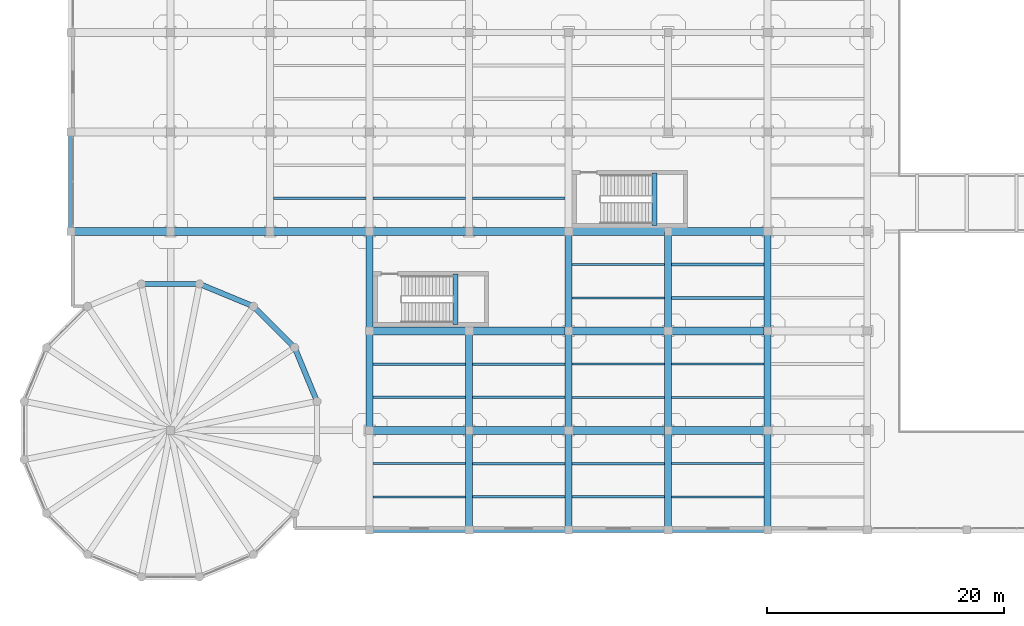
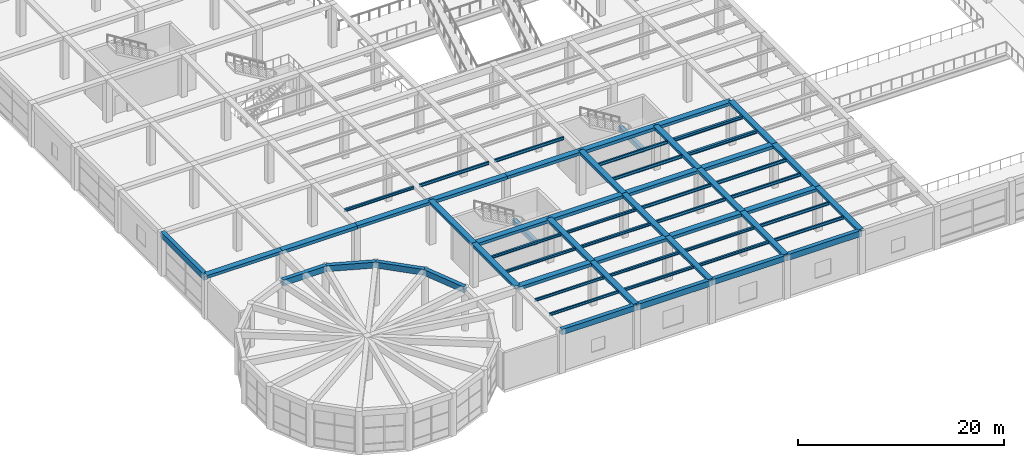
# One storey, part 16 of 95: 62 beams.
"""IFC4 building model written with IfcOpenShell, lengths in metres."""

from ifc_helpers import new_model, si_unit, direction, frame, origin, origin_2d, place, context, subcontext, project, spatial, rectangle, i_section, extrude, material, material_profile, profile_set, type_object, element, save


model = new_model("IFC4")

# Units and contexts
model_context = context("Model", 3, precision=1e-05, world=origin(), true_north=direction((0.0, 1.0)))
body_context = subcontext(model_context, "Body", "Model", "MODEL_VIEW")
ifc_project = project(units=[si_unit("LENGTHUNIT", "METRE"), si_unit("AREAUNIT", "SQUARE_METRE"), si_unit("VOLUMEUNIT", "CUBIC_METRE"), si_unit("PLANEANGLEUNIT", "RADIAN"), si_unit("MASSUNIT", "GRAM", prefix="KILO")], contexts=[model_context])

# Site, building, storey
site_placement = place(None, origin())
site = spatial("IfcSite", under=ifc_project, at=site_placement, CompositionType="ELEMENT")
building_placement = place(site_placement, origin())
building = spatial("IfcBuilding", under=site, at=building_placement, Name="Almacenes y Pasaje Nevantli", CompositionType="ELEMENT")
storey_placement = place(building_placement, frame((0.0, 0.0, 11.39990234375)))
storey = spatial("IfcBuildingStorey", under=building, at=storey_placement, Name="L03", CompositionType="ELEMENT", Elevation=11.39990234375)

# Beams
ifc_material_1 = material(Name="Concrete C35/45", Category="concrete")
ifc_material_profile_1 = material_profile(ifc_material_1, rectangle(XDim=0.39990234375, YDim=0.60009765625, at=origin_2d()), Name="RC-BM-400x600")
ifc_profile_set_1 = profile_set([ifc_material_profile_1], Name="Concrete C35/45")
beam_type_1 = type_object("IfcBeamType", Name="BM-RC-400x600", PredefinedType="SPANDREL", material=ifc_profile_set_1)
beam_1_placement = place(storey_placement, frame((32.449951171875, 17.35009765625, 2.2001953125), z_axis=(0.0, 1.0, 0.0), x_axis=(-1.0, 0.0, 0.0)))
element("IfcBeam", 1, at=beam_1_placement, inside=storey, type_object=beam_type_1, Name="L03 Stair ST-04 Half-Landing Support Beam", PredefinedType="SPANDREL", context=body_context, shape_type="SweptSolid", body=[
    extrude(rectangle(XDim=0.39990234375, YDim=0.60009765625, at=origin_2d()), origin(), (0.0, 0.0, 1.0), 4.25),
])
beam_2_placement = place(storey_placement, frame((49.25, 25.699951171875, 2.2001953125), z_axis=(0.0, 1.0, 0.0), x_axis=(-1.0, 0.0, 0.0)))
element("IfcBeam", 2, at=beam_2_placement, inside=storey, type_object=beam_type_1, Name="L03 Stair ST-14 Half-Landing Support Beam", PredefinedType="SPANDREL", context=body_context, shape_type="SweptSolid", body=[
    extrude(rectangle(XDim=0.39990234375, YDim=0.60009765625, at=origin_2d()), origin(), (0.0, 0.0, 1.0), 4.449951171875),
])
ifc_material_2 = material(Name="Concrete C35/45", Category="concrete")
ifc_material_profile_2 = material_profile(ifc_material_2, rectangle(XDim=0.449951171875, YDim=0.64990234375, at=origin_2d()), Name="RC-BM-450x650")
ifc_profile_set_2 = profile_set([ifc_material_profile_2], Name="Concrete C35/45")
beam_type_2 = type_object("IfcBeamType", Name="BM-RC-450x650", PredefinedType="SPANDREL", material=ifc_profile_set_2)
beam_3_placement = place(storey_placement, frame((25.199951171875, 0.0, 4.775146484375), z_axis=(1.0, 0.0, 0.0), x_axis=(0.0, 1.0, 0.0)))
element("IfcBeam", 3, at=beam_3_placement, inside=storey, type_object=beam_type_2, Name="L03 East-West Reinforced Concrete Beam #2237", PredefinedType="SPANDREL", context=body_context, shape_type="SweptSolid", body=[
    extrude(rectangle(XDim=0.449951171875, YDim=0.64990234375, at=origin_2d()), origin(), (0.0, 0.0, 1.0), 8.400146484375),
])
beam_4_placement = place(storey_placement, frame((42.0, 0.0, 4.775146484375), z_axis=(1.0, 0.0, 0.0), x_axis=(0.0, 1.0, 0.0)))
element("IfcBeam", 4, at=beam_4_placement, inside=storey, type_object=beam_type_2, Name="L03 East-West Reinforced Concrete Beam #2239", PredefinedType="SPANDREL", context=body_context, shape_type="SweptSolid", body=[
    extrude(rectangle(XDim=0.449951171875, YDim=0.64990234375, at=origin_2d()), origin(), (0.0, 0.0, 1.0), 8.39990234375),
])
ifc_material_3 = material(Name="Concrete C35/45", Category="concrete")
ifc_material_profile_3 = material_profile(ifc_material_3, rectangle(XDim=0.449951171875, YDim=0.699951171875, at=origin_2d()), Name="RC-BM-450x700")
ifc_profile_set_3 = profile_set([ifc_material_profile_3], Name="Concrete C35/45")
beam_type_3 = type_object("IfcBeamType", Name="BM-RC-450x700", PredefinedType="SPANDREL", material=ifc_profile_set_3)
beam_5_placement = place(storey_placement, frame((33.60009765625, 0.0, 4.75), z_axis=(1.0, 0.0, 0.0), x_axis=(0.0, 1.0, 0.0)))
element("IfcBeam", 5, at=beam_5_placement, inside=storey, type_object=beam_type_3, Name="L03 East-West Reinforced Concrete Beam #2238", PredefinedType="SPANDREL", context=body_context, shape_type="SweptSolid", body=[
    extrude(rectangle(XDim=0.449951171875, YDim=0.699951171875, at=origin_2d()), origin(), (0.0, 0.0, 1.0), 8.39990234375),
])
for number, where, z_axis, x_axis, name in (
    (6, (50.39990234375, 0.0, 4.75), (1.0, 0.0, 0.0), (0.0, 1.0, 0.0), "L03 East-West Reinforced Concrete Beam #2240"),
    (7, (0.0, 25.199951171875, 4.75), (0.0, 1.0, 0.0), (-1.0, 0.0, 0.0), "L03 North-South Reinforced Concrete Beam #2480"),
):
    element("IfcBeam", number, at=place(storey_placement, frame(where, z_axis=z_axis, x_axis=x_axis)), inside=storey, type_object=beam_type_3, Name=name, PredefinedType="SPANDREL", context=body_context, shape_type="SweptSolid", body=[
        extrude(rectangle(XDim=0.449951171875, YDim=0.699951171875, at=origin_2d()), origin(), (0.0, 0.0, 1.0), 8.400146484375),
    ])
for number, where, z_axis, x_axis, name in (
    (8, (20.7578125, 10.858154296875, 4.75), (-0.382682198272, 0.923880043688, 0.0), (-0.923880043688, -0.382682198272, 0.0), "L03 Rotunda Ring Spandrel Beam #1"),
    (9, (18.87646484375, 15.400146484375, 4.75), (-0.707106781187, 0.707106781187, 0.0), (-0.707106781187, -0.707106781187, 0.0), "L03 Rotunda Ring Spandrel Beam #2"),
    (10, (15.400146484375, 18.87646484375, 4.75), (-0.923880043688, 0.382682198272, 0.0), (-0.382682198272, -0.923880043688, 0.0), "L03 Rotunda Ring Spandrel Beam #3"),
    (11, (10.858154296875, 20.7578125, 4.75), (-1.0, 0.0, 0.0), (0.0, -1.0, 0.0), "L03 Rotunda Ring Spandrel Beam #4"),
):
    element("IfcBeam", number, at=place(storey_placement, frame(where, z_axis=z_axis, x_axis=x_axis)), inside=storey, type_object=beam_type_3, Name=name, PredefinedType="SPANDREL", context=body_context, shape_type="SweptSolid", body=[
        extrude(rectangle(XDim=0.449951171875, YDim=0.699951171875, at=origin_2d()), origin(), (0.0, 0.0, 1.0), 4.916259765625),
    ])
ifc_material_4 = material(Name="Concrete C35/45", Category="concrete")
ifc_material_profile_4 = material_profile(ifc_material_4, rectangle(XDim=0.60009765625, YDim=0.320068359375, at=origin_2d()), Name="RC-BM-600x320")
ifc_profile_set_4 = profile_set([ifc_material_profile_4], Name="Concrete C35/45")
beam_type_4 = type_object("IfcBeamType", Name="BM-RC-600x320", PredefinedType="BEAM", material=ifc_profile_set_4)
beam_6_placement = place(storey_placement, frame((25.199951171875, 16.800048828125, 4.940185546875), z_axis=(0.0, 1.0, 0.0), x_axis=(-1.0, 0.0, 0.0)))
element("IfcBeam", 12, at=beam_6_placement, inside=storey, type_object=beam_type_4, Name="L03 North-South Reinforced Concrete Beam #2513", PredefinedType="BEAM", context=body_context, shape_type="SweptSolid", body=[
    extrude(rectangle(XDim=0.60009765625, YDim=0.320068359375, at=origin_2d()), origin(), (0.0, 0.0, 1.0), 8.39990234375),
])
beam_7_placement = place(storey_placement, frame((33.60009765625, 8.39990234375, 4.940185546875), z_axis=(0.0, 1.0, 0.0), x_axis=(-1.0, 0.0, 0.0)))
element("IfcBeam", 13, at=beam_7_placement, inside=storey, type_object=beam_type_4, Name="L03 North-South Reinforced Concrete Beam #2525", PredefinedType="BEAM", context=body_context, shape_type="SweptSolid", body=[
    extrude(rectangle(XDim=0.60009765625, YDim=0.320068359375, at=origin_2d()), origin(), (0.0, 0.0, 1.0), 8.400146484375),
])
for number, where, z_axis, x_axis, name in (
    (14, (42.0, 0.0, 4.940185546875), (0.0, 1.0, 0.0), (-1.0, 0.0, 0.0), "L03 North-South Reinforced Concrete Beam #2537"),
    (15, (42.0, 16.800048828125, 4.940185546875), (0.0, 1.0, 0.0), (-1.0, 0.0, 0.0), "L03 North-South Reinforced Concrete Beam #2539"),
):
    element("IfcBeam", number, at=place(storey_placement, frame(where, z_axis=z_axis, x_axis=x_axis)), inside=storey, type_object=beam_type_4, Name=name, PredefinedType="BEAM", context=body_context, shape_type="SweptSolid", body=[
        extrude(rectangle(XDim=0.60009765625, YDim=0.320068359375, at=origin_2d()), origin(), (0.0, 0.0, 1.0), 8.39990234375),
    ])
beam_8_placement = place(storey_placement, frame((50.39990234375, 8.39990234375, 4.940185546875), z_axis=(0.0, 1.0, 0.0), x_axis=(-1.0, 0.0, 0.0)))
element("IfcBeam", 16, at=beam_8_placement, inside=storey, type_object=beam_type_4, Name="L03 North-South Reinforced Concrete Beam #2547", PredefinedType="BEAM", context=body_context, shape_type="SweptSolid", body=[
    extrude(rectangle(XDim=0.60009765625, YDim=0.320068359375, at=origin_2d()), origin(), (0.0, 0.0, 1.0), 8.400146484375),
])
for number, where, z_axis, x_axis, name in (
    (17, (58.800048828125, 0.0, 4.940185546875), (0.0, 1.0, 0.0), (-1.0, 0.0, 0.0), "L03 North-South Reinforced Concrete Beam #2555"),
    (18, (58.800048828125, 16.800048828125, 4.940185546875), (0.0, 1.0, 0.0), (-1.0, 0.0, 0.0), "L03 North-South Reinforced Concrete Beam #2557"),
):
    element("IfcBeam", number, at=place(storey_placement, frame(where, z_axis=z_axis, x_axis=x_axis)), inside=storey, type_object=beam_type_4, Name=name, PredefinedType="BEAM", context=body_context, shape_type="SweptSolid", body=[
        extrude(rectangle(XDim=0.60009765625, YDim=0.320068359375, at=origin_2d()), origin(), (0.0, 0.0, 1.0), 8.39990234375),
    ])
ifc_material_5 = material(Name="Concrete C35/45", Category="concrete")
ifc_material_profile_5 = material_profile(ifc_material_5, rectangle(XDim=0.60009765625, YDim=0.340087890625, at=origin_2d()), Name="RC-BM-600x340")
ifc_profile_set_5 = profile_set([ifc_material_profile_5], Name="Concrete C35/45")
beam_type_5 = type_object("IfcBeamType", Name="BM-RC-600x340", PredefinedType="BEAM", material=ifc_profile_set_5)
beam_9_placement = place(storey_placement, frame((25.199951171875, 8.39990234375, 4.93017578125), z_axis=(0.0, 1.0, 0.0), x_axis=(-1.0, 0.0, 0.0)))
element("IfcBeam", 19, at=beam_9_placement, inside=storey, type_object=beam_type_5, Name="L03 North-South Reinforced Concrete Beam #2512", PredefinedType="BEAM", context=body_context, shape_type="SweptSolid", body=[
    extrude(rectangle(XDim=0.60009765625, YDim=0.340087890625, at=origin_2d()), origin(), (0.0, 0.0, 1.0), 8.400146484375),
])
beam_10_placement = place(storey_placement, frame((33.60009765625, 0.0, 4.93017578125), z_axis=(0.0, 1.0, 0.0), x_axis=(-1.0, 0.0, 0.0)))
element("IfcBeam", 20, at=beam_10_placement, inside=storey, type_object=beam_type_5, Name="L03 North-South Reinforced Concrete Beam #2524", PredefinedType="BEAM", context=body_context, shape_type="SweptSolid", body=[
    extrude(rectangle(XDim=0.60009765625, YDim=0.340087890625, at=origin_2d()), origin(), (0.0, 0.0, 1.0), 8.39990234375),
])
beam_11_placement = place(storey_placement, frame((42.0, 8.39990234375, 4.93017578125), z_axis=(0.0, 1.0, 0.0), x_axis=(-1.0, 0.0, 0.0)))
element("IfcBeam", 21, at=beam_11_placement, inside=storey, type_object=beam_type_5, Name="L03 North-South Reinforced Concrete Beam #2538", PredefinedType="BEAM", context=body_context, shape_type="SweptSolid", body=[
    extrude(rectangle(XDim=0.60009765625, YDim=0.340087890625, at=origin_2d()), origin(), (0.0, 0.0, 1.0), 8.400146484375),
])
for number, where, z_axis, x_axis, name in (
    (22, (50.39990234375, 0.0, 4.93017578125), (0.0, 1.0, 0.0), (-1.0, 0.0, 0.0), "L03 North-South Reinforced Concrete Beam #2546"),
    (23, (50.39990234375, 16.800048828125, 4.93017578125), (0.0, 1.0, 0.0), (-1.0, 0.0, 0.0), "L03 North-South Reinforced Concrete Beam #2548"),
):
    element("IfcBeam", number, at=place(storey_placement, frame(where, z_axis=z_axis, x_axis=x_axis)), inside=storey, type_object=beam_type_5, Name=name, PredefinedType="BEAM", context=body_context, shape_type="SweptSolid", body=[
        extrude(rectangle(XDim=0.60009765625, YDim=0.340087890625, at=origin_2d()), origin(), (0.0, 0.0, 1.0), 8.39990234375),
    ])
beam_12_placement = place(storey_placement, frame((58.800048828125, 8.39990234375, 4.93017578125), z_axis=(0.0, 1.0, 0.0), x_axis=(-1.0, 0.0, 0.0)))
element("IfcBeam", 24, at=beam_12_placement, inside=storey, type_object=beam_type_5, Name="L03 North-South Reinforced Concrete Beam #2556", PredefinedType="BEAM", context=body_context, shape_type="SweptSolid", body=[
    extrude(rectangle(XDim=0.60009765625, YDim=0.340087890625, at=origin_2d()), origin(), (0.0, 0.0, 1.0), 8.400146484375),
])
ifc_material_6 = material(Name="Concrete C35/45", Category="concrete")
ifc_material_profile_6 = material_profile(ifc_material_6, rectangle(XDim=0.64990234375, YDim=0.35009765625, at=origin_2d()), Name="RC-BM-650x350")
ifc_profile_set_6 = profile_set([ifc_material_profile_6], Name="Concrete C35/45")
beam_type_6 = type_object("IfcBeamType", Name="BM-RC-650x350", PredefinedType="BEAM", material=ifc_profile_set_6)
beam_13_placement = place(storey_placement, frame((33.60009765625, 8.39990234375, 4.925048828125), z_axis=(1.0, 0.0, 0.0), x_axis=(0.0, 1.0, 0.0)))
element("IfcBeam", 25, at=beam_13_placement, inside=storey, type_object=beam_type_6, Name="L03 East-West Reinforced Concrete Beam #2255", PredefinedType="BEAM", context=body_context, shape_type="SweptSolid", body=[
    extrude(rectangle(XDim=0.64990234375, YDim=0.35009765625, at=origin_2d()), origin(), (0.0, 0.0, 1.0), 8.39990234375),
])
for number, where, z_axis, x_axis, name in (
    (26, (50.39990234375, 8.39990234375, 4.925048828125), (1.0, 0.0, 0.0), (0.0, 1.0, 0.0), "L03 East-West Reinforced Concrete Beam #2257"),
    (27, (25.199951171875, 16.800048828125, 4.925048828125), (1.0, 0.0, 0.0), (0.0, 1.0, 0.0), "L03 East-West Reinforced Concrete Beam #2268"),
):
    element("IfcBeam", number, at=place(storey_placement, frame(where, z_axis=z_axis, x_axis=x_axis)), inside=storey, type_object=beam_type_6, Name=name, PredefinedType="BEAM", context=body_context, shape_type="SweptSolid", body=[
        extrude(rectangle(XDim=0.64990234375, YDim=0.35009765625, at=origin_2d()), origin(), (0.0, 0.0, 1.0), 8.400146484375),
    ])
for number, where, z_axis, x_axis, name in (
    (28, (42.0, 16.800048828125, 4.925048828125), (1.0, 0.0, 0.0), (0.0, 1.0, 0.0), "L03 East-West Reinforced Concrete Beam #2270"),
    (29, (0.0, 25.199951171875, 4.925048828125), (1.0, 0.0, 0.0), (0.0, 1.0, 0.0), "L03 East-West Reinforced Concrete Beam #2282"),
    (30, (16.800048828125, 25.199951171875, 4.925048828125), (1.0, 0.0, 0.0), (0.0, 1.0, 0.0), "L03 East-West Reinforced Concrete Beam #2284"),
    (31, (33.60009765625, 25.199951171875, 4.925048828125), (1.0, 0.0, 0.0), (0.0, 1.0, 0.0), "L03 East-West Reinforced Concrete Beam #2286"),
):
    element("IfcBeam", number, at=place(storey_placement, frame(where, z_axis=z_axis, x_axis=x_axis)), inside=storey, type_object=beam_type_6, Name=name, PredefinedType="BEAM", context=body_context, shape_type="SweptSolid", body=[
        extrude(rectangle(XDim=0.64990234375, YDim=0.35009765625, at=origin_2d()), origin(), (0.0, 0.0, 1.0), 8.39990234375),
    ])
beam_14_placement = place(storey_placement, frame((50.39990234375, 25.199951171875, 4.925048828125), z_axis=(1.0, 0.0, 0.0), x_axis=(0.0, 1.0, 0.0)))
element("IfcBeam", 32, at=beam_14_placement, inside=storey, type_object=beam_type_6, Name="L03 East-West Reinforced Concrete Beam #2288", PredefinedType="BEAM", context=body_context, shape_type="SweptSolid", body=[
    extrude(rectangle(XDim=0.64990234375, YDim=0.35009765625, at=origin_2d()), origin(), (0.0, 0.0, 1.0), 8.400146484375),
])
ifc_material_7 = material(Name="Concrete C35/45", Category="concrete")
ifc_material_profile_7 = material_profile(ifc_material_7, rectangle(XDim=0.64990234375, YDim=0.3798828125, at=origin_2d()), Name="RC-BM-650x380")
ifc_profile_set_7 = profile_set([ifc_material_profile_7], Name="Concrete C35/45")
beam_type_7 = type_object("IfcBeamType", Name="BM-RC-650x380", PredefinedType="BEAM", material=ifc_profile_set_7)
beam_15_placement = place(storey_placement, frame((25.199951171875, 8.39990234375, 4.91015625), z_axis=(1.0, 0.0, 0.0), x_axis=(0.0, 1.0, 0.0)))
element("IfcBeam", 33, at=beam_15_placement, inside=storey, type_object=beam_type_7, Name="L03 East-West Reinforced Concrete Beam #2254", PredefinedType="BEAM", context=body_context, shape_type="SweptSolid", body=[
    extrude(rectangle(XDim=0.64990234375, YDim=0.3798828125, at=origin_2d()), origin(), (0.0, 0.0, 1.0), 8.400146484375),
])
for number, where, z_axis, x_axis, name in (
    (34, (42.0, 8.39990234375, 4.91015625), (1.0, 0.0, 0.0), (0.0, 1.0, 0.0), "L03 East-West Reinforced Concrete Beam #2256"),
    (35, (33.60009765625, 16.800048828125, 4.91015625), (1.0, 0.0, 0.0), (0.0, 1.0, 0.0), "L03 East-West Reinforced Concrete Beam #2269"),
):
    element("IfcBeam", number, at=place(storey_placement, frame(where, z_axis=z_axis, x_axis=x_axis)), inside=storey, type_object=beam_type_7, Name=name, PredefinedType="BEAM", context=body_context, shape_type="SweptSolid", body=[
        extrude(rectangle(XDim=0.64990234375, YDim=0.3798828125, at=origin_2d()), origin(), (0.0, 0.0, 1.0), 8.39990234375),
    ])
for number, where, z_axis, x_axis, name in (
    (36, (50.39990234375, 16.800048828125, 4.91015625), (1.0, 0.0, 0.0), (0.0, 1.0, 0.0), "L03 East-West Reinforced Concrete Beam #2271"),
    (37, (8.39990234375, 25.199951171875, 4.91015625), (1.0, 0.0, 0.0), (0.0, 1.0, 0.0), "L03 East-West Reinforced Concrete Beam #2283"),
    (38, (25.199951171875, 25.199951171875, 4.91015625), (1.0, 0.0, 0.0), (0.0, 1.0, 0.0), "L03 East-West Reinforced Concrete Beam #2285"),
):
    element("IfcBeam", number, at=place(storey_placement, frame(where, z_axis=z_axis, x_axis=x_axis)), inside=storey, type_object=beam_type_7, Name=name, PredefinedType="BEAM", context=body_context, shape_type="SweptSolid", body=[
        extrude(rectangle(XDim=0.64990234375, YDim=0.3798828125, at=origin_2d()), origin(), (0.0, 0.0, 1.0), 8.400146484375),
    ])
beam_16_placement = place(storey_placement, frame((42.0, 25.199951171875, 4.91015625), z_axis=(1.0, 0.0, 0.0), x_axis=(0.0, 1.0, 0.0)))
element("IfcBeam", 39, at=beam_16_placement, inside=storey, type_object=beam_type_7, Name="L03 East-West Reinforced Concrete Beam #2287", PredefinedType="BEAM", context=body_context, shape_type="SweptSolid", body=[
    extrude(rectangle(XDim=0.64990234375, YDim=0.3798828125, at=origin_2d()), origin(), (0.0, 0.0, 1.0), 8.39990234375),
])
ifc_material_8 = material(Name="Steel ASTM A992", Category="steel")
ifc_material_profile_8 = material_profile(ifc_material_8, i_section(OverallWidth=0.1650390625, OverallDepth=0.306884765625, WebThickness=0.006591796875, FlangeThickness=0.01025390625, at=origin_2d()), Name="IR 305x44.6")
ifc_profile_set_8 = profile_set([ifc_material_profile_8], Name="Steel ASTM A992")
beam_type_8 = type_object("IfcBeamType", Name="BM-STL-IR-305x44p6", PredefinedType="JOIST", material=ifc_profile_set_8)
for number, where, z_axis, x_axis, name in (
    (40, (25.5, 2.800048828125, 4.9384765625), (1.0, 0.0, 0.0), (0.0, 1.0, 0.0), "L03 Secondary Steel Floor Joist #697"),
    (41, (25.5, 5.60009765625, 4.9384765625), (1.0, 0.0, 0.0), (0.0, 1.0, 0.0), "L03 Secondary Steel Floor Joist #698"),
):
    element("IfcBeam", number, at=place(storey_placement, frame(where, z_axis=z_axis, x_axis=x_axis)), inside=storey, type_object=beam_type_8, Name=name, PredefinedType="JOIST", context=body_context, shape_type="SweptSolid", body=[
        extrude(i_section(OverallWidth=0.1650390625, OverallDepth=0.306884765625, WebThickness=0.006591796875, FlangeThickness=0.01025390625, at=origin_2d()), origin(), (0.0, 0.0, 1.0), 7.800048828125),
    ])
ifc_material_9 = material(Name="Steel ASTM A992", Category="steel")
ifc_material_profile_9 = material_profile(ifc_material_9, i_section(OverallWidth=0.202880859375, OverallDepth=0.304931640625, WebThickness=0.007568359375, FlangeThickness=0.01318359375, at=origin_2d()), Name="IR 305x59.5")
ifc_profile_set_9 = profile_set([ifc_material_profile_9], Name="Steel ASTM A992")
beam_type_9 = type_object("IfcBeamType", Name="BM-STL-IR-305x59p5", PredefinedType="JOIST", material=ifc_profile_set_9)
for number, where, z_axis, x_axis, name in (
    (42, (25.5, 11.199951171875, 4.939697265625), (1.0, 0.0, 0.0), (0.0, 1.0, 0.0), "L03 Secondary Steel Floor Joist #699"),
    (43, (25.5, 14.0, 4.939697265625), (1.0, 0.0, 0.0), (0.0, 1.0, 0.0), "L03 Secondary Steel Floor Joist #700"),
    (44, (33.89990234375, 2.800048828125, 4.939697265625), (1.0, 0.0, 0.0), (0.0, 1.0, 0.0), "L03 Secondary Steel Floor Joist #721"),
    (45, (33.89990234375, 5.60009765625, 4.939697265625), (1.0, 0.0, 0.0), (0.0, 1.0, 0.0), "L03 Secondary Steel Floor Joist #722"),
):
    element("IfcBeam", number, at=place(storey_placement, frame(where, z_axis=z_axis, x_axis=x_axis)), inside=storey, type_object=beam_type_9, Name=name, PredefinedType="JOIST", context=body_context, shape_type="SweptSolid", body=[
        extrude(i_section(OverallWidth=0.202880859375, OverallDepth=0.304931640625, WebThickness=0.007568359375, FlangeThickness=0.01318359375, at=origin_2d()), origin(), (0.0, 0.0, 1.0), 7.800048828125),
    ])
ifc_material_10 = material(Name="Steel ASTM A992", Category="steel")
ifc_material_profile_10 = material_profile(ifc_material_10, i_section(OverallWidth=0.205078125, OverallDepth=0.31005859375, WebThickness=0.009521484375, FlangeThickness=0.016357421875, at=origin_2d()), Name="IR 305x74.4")
ifc_profile_set_10 = profile_set([ifc_material_profile_10], Name="Steel ASTM A992")
beam_type_10 = type_object("IfcBeamType", Name="BM-STL-IR-305x74p4", PredefinedType="JOIST", material=ifc_profile_set_10)
beam_17_placement = place(storey_placement, frame((17.10009765625, 28.0, 4.93701171875), z_axis=(1.0, 0.0, 0.0), x_axis=(0.0, 1.0, 0.0)))
element("IfcBeam", 46, at=beam_17_placement, inside=storey, type_object=beam_type_10, Name="L03 Secondary Steel Floor Joist #681", PredefinedType="JOIST", context=body_context, shape_type="SweptSolid", body=[
    extrude(i_section(OverallWidth=0.205078125, OverallDepth=0.31005859375, WebThickness=0.009521484375, FlangeThickness=0.016357421875, at=origin_2d()), origin(), (0.0, 0.0, 1.0), 7.7998046875),
])
for number, where, z_axis, x_axis, name in (
    (47, (33.89990234375, 11.199951171875, 4.93701171875), (1.0, 0.0, 0.0), (0.0, 1.0, 0.0), "L03 Secondary Steel Floor Joist #723"),
    (48, (33.89990234375, 14.0, 4.93701171875), (1.0, 0.0, 0.0), (0.0, 1.0, 0.0), "L03 Secondary Steel Floor Joist #724"),
    (49, (42.300048828125, 2.800048828125, 4.93701171875), (1.0, 0.0, 0.0), (0.0, 1.0, 0.0), "L03 Secondary Steel Floor Joist #737"),
    (50, (42.300048828125, 5.60009765625, 4.93701171875), (1.0, 0.0, 0.0), (0.0, 1.0, 0.0), "L03 Secondary Steel Floor Joist #738"),
):
    element("IfcBeam", number, at=place(storey_placement, frame(where, z_axis=z_axis, x_axis=x_axis)), inside=storey, type_object=beam_type_10, Name=name, PredefinedType="JOIST", context=body_context, shape_type="SweptSolid", body=[
        extrude(i_section(OverallWidth=0.205078125, OverallDepth=0.31005859375, WebThickness=0.009521484375, FlangeThickness=0.016357421875, at=origin_2d()), origin(), (0.0, 0.0, 1.0), 7.800048828125),
    ])
ifc_material_11 = material(Name="Steel ASTM A992", Category="steel")
ifc_material_profile_11 = material_profile(ifc_material_11, i_section(OverallWidth=0.173095703125, OverallDepth=0.35302734375, WebThickness=0.0078125, FlangeThickness=0.01318359375, at=origin_2d()), Name="IR 356x56.6")
ifc_profile_set_11 = profile_set([ifc_material_profile_11], Name="Steel ASTM A992")
beam_type_11 = type_object("IfcBeamType", Name="BM-STL-IR-356x56p6", PredefinedType="JOIST", material=ifc_profile_set_11)
for number, where, z_axis, x_axis, name in (
    (51, (25.5, 28.0, 4.91552734375), (1.0, 0.0, 0.0), (0.0, 1.0, 0.0), "L03 Secondary Steel Floor Joist #701"),
    (52, (42.300048828125, 11.199951171875, 4.91552734375), (1.0, 0.0, 0.0), (0.0, 1.0, 0.0), "L03 Secondary Steel Floor Joist #739"),
    (53, (42.300048828125, 14.0, 4.91552734375), (1.0, 0.0, 0.0), (0.0, 1.0, 0.0), "L03 Secondary Steel Floor Joist #740"),
    (54, (50.699951171875, 2.800048828125, 4.91552734375), (1.0, 0.0, 0.0), (0.0, 1.0, 0.0), "L03 Secondary Steel Floor Joist #753"),
    (55, (50.699951171875, 5.60009765625, 4.91552734375), (1.0, 0.0, 0.0), (0.0, 1.0, 0.0), "L03 Secondary Steel Floor Joist #754"),
):
    element("IfcBeam", number, at=place(storey_placement, frame(where, z_axis=z_axis, x_axis=x_axis)), inside=storey, type_object=beam_type_11, Name=name, PredefinedType="JOIST", context=body_context, shape_type="SweptSolid", body=[
        extrude(i_section(OverallWidth=0.173095703125, OverallDepth=0.35302734375, WebThickness=0.0078125, FlangeThickness=0.01318359375, at=origin_2d()), origin(), (0.0, 0.0, 1.0), 7.800048828125),
    ])
ifc_material_12 = material(Name="Steel ASTM A992", Category="steel")
ifc_material_profile_12 = material_profile(ifc_material_12, i_section(OverallWidth=0.173095703125, OverallDepth=0.364013671875, WebThickness=0.009033203125, FlangeThickness=0.015625, at=origin_2d()), Name="IR 356x67.0")
ifc_profile_set_12 = profile_set([ifc_material_profile_12], Name="Steel ASTM A992")
beam_type_12 = type_object("IfcBeamType", Name="BM-STL-IR-356x67p0", PredefinedType="JOIST", material=ifc_profile_set_12)
for number, where, z_axis, x_axis, name in (
    (56, (33.89990234375, 28.0, 4.91015625), (1.0, 0.0, 0.0), (0.0, 1.0, 0.0), "L03 Secondary Steel Floor Joist #725"),
    (57, (42.300048828125, 19.60009765625, 4.91015625), (1.0, 0.0, 0.0), (0.0, 1.0, 0.0), "L03 Secondary Steel Floor Joist #741"),
    (58, (42.300048828125, 22.39990234375, 4.91015625), (1.0, 0.0, 0.0), (0.0, 1.0, 0.0), "L03 Secondary Steel Floor Joist #742"),
    (59, (50.699951171875, 11.199951171875, 4.91015625), (1.0, 0.0, 0.0), (0.0, 1.0, 0.0), "L03 Secondary Steel Floor Joist #755"),
    (60, (50.699951171875, 14.0, 4.91015625), (1.0, 0.0, 0.0), (0.0, 1.0, 0.0), "L03 Secondary Steel Floor Joist #756"),
):
    element("IfcBeam", number, at=place(storey_placement, frame(where, z_axis=z_axis, x_axis=x_axis)), inside=storey, type_object=beam_type_12, Name=name, PredefinedType="JOIST", context=body_context, shape_type="SweptSolid", body=[
        extrude(i_section(OverallWidth=0.173095703125, OverallDepth=0.364013671875, WebThickness=0.009033203125, FlangeThickness=0.015625, at=origin_2d()), origin(), (0.0, 0.0, 1.0), 7.800048828125),
    ])
ifc_material_13 = material(Name="Steel ASTM A992", Category="steel")
ifc_material_profile_13 = material_profile(ifc_material_13, i_section(OverallWidth=0.25390625, OverallDepth=0.35595703125, WebThickness=0.009521484375, FlangeThickness=0.016357421875, at=origin_2d()), Name="IR 356x79.0")
ifc_profile_set_13 = profile_set([ifc_material_profile_13], Name="Steel ASTM A992")
beam_type_13 = type_object("IfcBeamType", Name="BM-STL-IR-356x79p0", PredefinedType="JOIST", material=ifc_profile_set_13)
for number, where, z_axis, x_axis, name in (
    (61, (50.699951171875, 19.60009765625, 4.9140625), (1.0, 0.0, 0.0), (0.0, 1.0, 0.0), "L03 Secondary Steel Floor Joist #757"),
    (62, (50.699951171875, 22.39990234375, 4.9140625), (1.0, 0.0, 0.0), (0.0, 1.0, 0.0), "L03 Secondary Steel Floor Joist #758"),
):
    element("IfcBeam", number, at=place(storey_placement, frame(where, z_axis=z_axis, x_axis=x_axis)), inside=storey, type_object=beam_type_13, Name=name, PredefinedType="JOIST", context=body_context, shape_type="SweptSolid", body=[
        extrude(i_section(OverallWidth=0.25390625, OverallDepth=0.35595703125, WebThickness=0.009521484375, FlangeThickness=0.016357421875, at=origin_2d()), origin(), (0.0, 0.0, 1.0), 7.800048828125),
    ])

save(model, "model.ifc")
